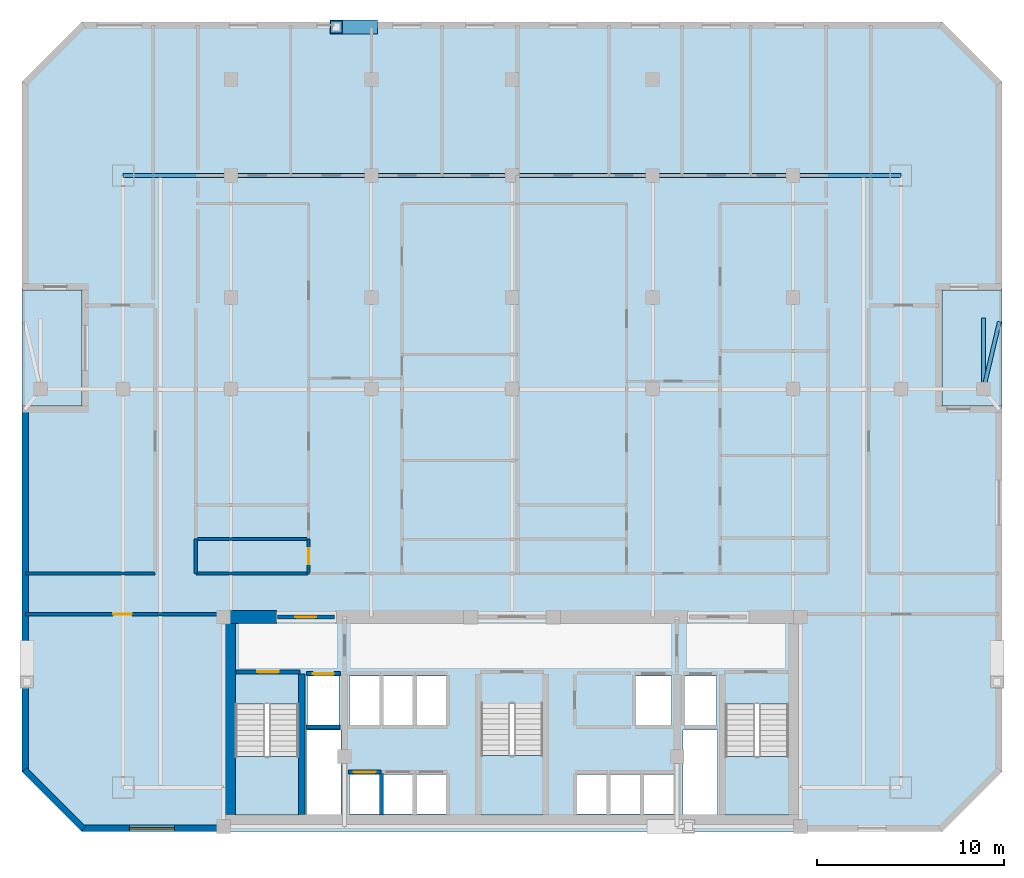
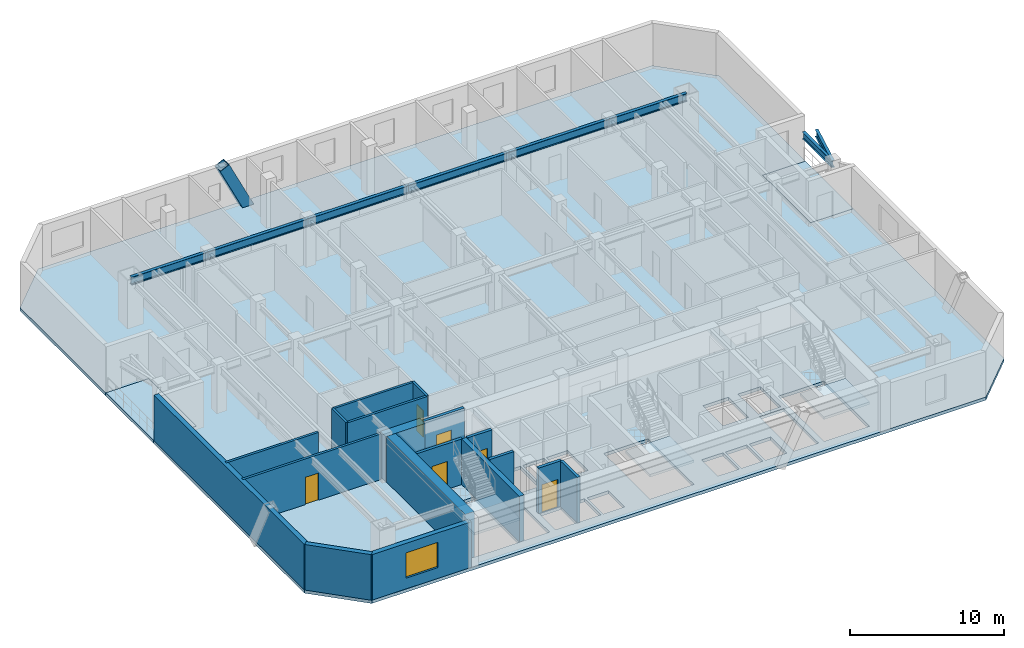
# One storey, part 2 of 9: 18 walls, 8 beams, 6 doors, 6 slabs, 1 member, 1 window, 7 openings, 3 elements without a shape of their own.
"""IFC4 building model written with IfcOpenShell, lengths in metres."""

from ifc_helpers import new_model, si_unit, direction, frame, frame_2d, origin, origin_2d, place, context, subcontext, project, spatial, polyline, rectangle, hollow_rectangle, i_section, outline, extrude, material, layer, layer_set, material_profile, profile_set, type_object, element, fill, aggregate, save


model = new_model("IFC4")

# Units and contexts
model_context = context("Model", 3, precision=1e-05, world=origin(), true_north=direction((0.0, 1.0)))
body_context = subcontext(model_context, "Body", "Model", "MODEL_VIEW")
ifc_project = project(units=[si_unit("LENGTHUNIT", "METRE"), si_unit("AREAUNIT", "SQUARE_METRE"), si_unit("VOLUMEUNIT", "CUBIC_METRE"), si_unit("PLANEANGLEUNIT", "RADIAN"), si_unit("MASSUNIT", "GRAM", prefix="KILO")], contexts=[model_context])

# Site, building, storey
site_placement = place(None, origin())
site = spatial("IfcSite", under=ifc_project, at=site_placement, CompositionType="ELEMENT")
building_placement = place(site_placement, origin())
building = spatial("IfcBuilding", under=site, at=building_placement, Name="Ventersveld Concourse Tower", CompositionType="ELEMENT")
storey_placement = place(building_placement, frame((0.0, 0.0, 108.0)))
storey = spatial("IfcBuildingStorey", under=building, at=storey_placement, Name="L26", CompositionType="ELEMENT", Elevation=108.0)

# Beams
ifc_material_1 = material(Name="Structural steel S355J2", Category="steel")
ifc_material_profile_1 = material_profile(ifc_material_1, i_section(OverallWidth=0.230224609375, OverallDepth=0.6171875, WebThickness=0.01318359375, FlangeThickness=0.022216796875, FilletRadius=0.0126953125, at=origin_2d()), Name="UB 610x229x140")
ifc_profile_set_1 = profile_set([ifc_material_profile_1], Name="Structural steel S355J2")
beam_type_1 = type_object("IfcBeamType", Name="GRD-UB610", PredefinedType="USERDEFINED", material=ifc_profile_set_1)
beam_1_placement = place(storey_placement, frame((8.0, 35.0, 3.29150390625), z_axis=(1.0, 0.0, 0.0), x_axis=(0.0, 1.0, 0.0)))
element("IfcBeam", 1, at=beam_1_placement, inside=storey, type_object=beam_type_1, Name="L26 E-W Grid Girder Y=35.00 #1", ObjectType="GIRDER", PredefinedType="USERDEFINED", context=body_context, shape_type="SweptSolid", body=[
    extrude(i_section(OverallWidth=0.230224609375, OverallDepth=0.6171875, WebThickness=0.01318359375, FlangeThickness=0.022216796875, FilletRadius=0.0126953125, at=origin_2d()), origin(), (0.0, 0.0, 1.0), 5.75),
])
for number, where, z_axis, x_axis, name in (
    (2, (13.75, 35.0, 3.29150390625), (1.0, 0.0, 0.0), (0.0, 1.0, 0.0), "L26 E-W Grid Girder Y=35.00 #2"),
    (3, (21.25, 35.0, 3.29150390625), (1.0, 0.0, 0.0), (0.0, 1.0, 0.0), "L26 E-W Grid Girder Y=35.00 #3"),
    (4, (28.75, 35.0, 3.29150390625), (1.0, 0.0, 0.0), (0.0, 1.0, 0.0), "L26 E-W Grid Girder Y=35.00 #4"),
    (5, (36.25, 35.0, 3.29150390625), (1.0, 0.0, 0.0), (0.0, 1.0, 0.0), "L26 E-W Grid Girder Y=35.00 #5"),
):
    element("IfcBeam", number, at=place(storey_placement, frame(where, z_axis=z_axis, x_axis=x_axis)), inside=storey, type_object=beam_type_1, Name=name, ObjectType="GIRDER", PredefinedType="USERDEFINED", context=body_context, shape_type="SweptSolid", body=[
        extrude(i_section(OverallWidth=0.230224609375, OverallDepth=0.6171875, WebThickness=0.01318359375, FlangeThickness=0.022216796875, FilletRadius=0.0126953125, at=origin_2d()), origin(), (0.0, 0.0, 1.0), 7.5),
    ])
beam_2_placement = place(storey_placement, frame((43.75, 35.0, 3.29150390625), z_axis=(1.0, 0.0, 0.0), x_axis=(0.0, 1.0, 0.0)))
element("IfcBeam", 6, at=beam_2_placement, inside=storey, type_object=beam_type_1, Name="L26 E-W Grid Girder Y=35.00 #6", ObjectType="GIRDER", PredefinedType="USERDEFINED", context=body_context, shape_type="SweptSolid", body=[
    extrude(i_section(OverallWidth=0.230224609375, OverallDepth=0.6171875, WebThickness=0.01318359375, FlangeThickness=0.022216796875, FilletRadius=0.0126953125, at=origin_2d()), origin(), (0.0, 0.0, 1.0), 5.75),
])

# Member
ifc_material_2 = material(Name="Structural steel S355ML", Category="steel")
ifc_material_profile_2 = material_profile(ifc_material_2, hollow_rectangle(XDim=0.75, YDim=0.75, WallThickness=0.044921875, at=origin_2d()), Name="BOX 750x750x45")
ifc_profile_set_2 = profile_set([ifc_material_profile_2], Name="Structural steel S355ML")
member_type = type_object("IfcMemberType", Name="MB-750x750", PredefinedType="BRACE", material=ifc_profile_set_2)
member_placement = place(storey_placement, frame((21.25, 42.919921875, -0.25), z_axis=(-0.437839464193, 0.0, 0.899053170616), x_axis=(0.0, -1.0, 0.0)))
element("IfcMember", 7, at=member_placement, inside=storey, type_object=member_type, Name="L26 Exterior Mega-Brace N (Module M06)", PredefinedType="BRACE", context=body_context, shape_type="SweptSolid", body=[
    extrude(hollow_rectangle(XDim=0.75, YDim=0.75, WallThickness=0.044921875, at=origin_2d()), origin(), (0.0, 0.0, 1.0), 4.282470703125),
])

# Beams
ifc_material_profile_3 = material_profile(ifc_material_1, i_section(OverallWidth=0.2119140625, OverallDepth=0.54443359375, WebThickness=0.0126953125, FlangeThickness=0.021240234375, FilletRadius=0.0126953125, at=origin_2d()), Name="UB 533x210x122")
ifc_profile_set_3 = profile_set([ifc_material_profile_3], Name="Structural steel S355J2")
beam_type_2 = type_object("IfcBeamType", Name="SPD-UB533", PredefinedType="SPANDREL", material=ifc_profile_set_3)
beam_3_placement = place(storey_placement, frame((53.89990234375, 23.60009765625, 3.32763671875), z_axis=(0.0, 1.0, 0.0), x_axis=(-1.0, 0.0, 0.0)))
element("IfcBeam", 8, at=beam_3_placement, inside=storey, type_object=beam_type_2, Name="L26 East Valley Spine Girder", PredefinedType="SPANDREL", context=body_context, shape_type="SweptSolid", body=[
    extrude(i_section(OverallWidth=0.2119140625, OverallDepth=0.54443359375, WebThickness=0.0126953125, FlangeThickness=0.021240234375, FilletRadius=0.0126953125, at=origin_2d()), origin(), (0.0, 0.0, 1.0), 3.7998046875),
])
beam_4_placement = place(storey_placement, frame((53.89990234375, 23.60009765625, 3.32763671875), z_axis=(0.229826547993, 0.973231605445, 0.0), x_axis=(-0.973231605445, 0.229826547993, 0.0)))
element("IfcBeam", 9, at=beam_4_placement, inside=storey, type_object=beam_type_2, Name="L26 East Valley Corner Bracket 2", PredefinedType="SPANDREL", context=body_context, shape_type="SweptSolid", body=[
    extrude(i_section(OverallWidth=0.2119140625, OverallDepth=0.54443359375, WebThickness=0.0126953125, FlangeThickness=0.021240234375, FilletRadius=0.0126953125, at=origin_2d()), origin(), (0.0, 0.0, 1.0), 3.698974609375),
])

# Slabs
ifc_material_3 = material(Name="Concrete C50/60", Category="concrete")
ifc_layer_1 = layer(ifc_material_3, 0.25)
ifc_layer_set_1 = layer_set([ifc_layer_1], Name="Concrete C50/60")
slab_type_1 = type_object("IfcSlabType", Name="SL-FLR-250", PredefinedType="FLOOR", material=ifc_layer_set_1)
slab_1_placement = place(storey_placement, frame((0.0, 0.0, -0.25)))
element("IfcSlab", 10, at=slab_1_placement, inside=storey, type_object=slab_type_1, Name="L26 Composite Floor Slab", PredefinedType="FLOOR", context=body_context, shape_type="SweptSolid", body=[
    extrude(outline(polyline([(5.800048828125, 0.0), (51.699951171875, 0.0), (54.89990234375, 3.199951171875), (54.89990234375, 22.699951171875), (51.699951171875, 22.699951171875), (51.699951171875, 28.89990234375), (54.89990234375, 28.89990234375), (54.89990234375, 40.0), (51.699951171875, 43.199951171875), (5.800048828125, 43.199951171875), (2.60009765625, 40.0), (2.60009765625, 28.89990234375), (5.800048828125, 28.89990234375), (5.800048828125, 22.699951171875), (2.60009765625, 22.699951171875), (2.60009765625, 3.199951171875), (5.800048828125, 0.0)]), holes=[polyline([(13.97998046875, 6.794921875), (13.97998046875, 0.89990234375), (17.3798828125, 0.89990234375), (17.3798828125, 6.794921875), (13.97998046875, 6.794921875)]), polyline([(40.1201171875, 6.794921875), (40.1201171875, 0.89990234375), (43.52001953125, 0.89990234375), (43.52001953125, 6.794921875), (40.1201171875, 6.794921875)]), polyline([(27.10009765625, 6.844970703125), (27.10009765625, 0.89990234375), (30.39990234375, 0.89990234375), (30.39990234375, 6.844970703125), (27.10009765625, 6.844970703125)]), polyline([(17.85009765625, 5.699951171875), (19.530029296875, 5.699951171875), (19.530029296875, 8.300048828125), (17.85009765625, 8.300048828125), (17.85009765625, 5.699951171875)]), polyline([(37.969970703125, 5.699951171875), (39.64990234375, 5.699951171875), (39.64990234375, 8.300048828125), (37.969970703125, 8.300048828125), (37.969970703125, 5.699951171875)]), polyline([(35.35009765625, 5.699951171875), (37.25, 5.699951171875), (37.25, 8.300048828125), (35.35009765625, 8.300048828125), (35.35009765625, 5.699951171875)]), polyline([(20.090087890625, 0.949951171875), (21.68994140625, 0.949951171875), (21.68994140625, 3.050048828125), (20.090087890625, 3.050048828125), (20.090087890625, 0.949951171875)]), polyline([(21.8701171875, 0.949951171875), (23.469970703125, 0.949951171875), (23.469970703125, 3.050048828125), (21.8701171875, 3.050048828125), (21.8701171875, 0.949951171875)]), polyline([(23.64990234375, 0.949951171875), (25.25, 0.949951171875), (25.25, 3.050048828125), (23.64990234375, 3.050048828125), (23.64990234375, 0.949951171875)]), polyline([(32.2099609375, 0.949951171875), (33.81005859375, 0.949951171875), (33.81005859375, 3.050048828125), (32.2099609375, 3.050048828125), (32.2099609375, 0.949951171875)]), polyline([(33.989990234375, 0.949951171875), (35.590087890625, 0.949951171875), (35.590087890625, 3.050048828125), (33.989990234375, 3.050048828125), (33.989990234375, 0.949951171875)]), polyline([(35.77001953125, 0.949951171875), (37.3701171875, 0.949951171875), (37.3701171875, 3.050048828125), (35.77001953125, 3.050048828125), (35.77001953125, 0.949951171875)]), polyline([(20.090087890625, 5.699951171875), (21.68994140625, 5.699951171875), (21.68994140625, 8.300048828125), (20.090087890625, 8.300048828125), (20.090087890625, 5.699951171875)]), polyline([(21.8701171875, 5.699951171875), (23.469970703125, 5.699951171875), (23.469970703125, 8.300048828125), (21.8701171875, 8.300048828125), (21.8701171875, 5.699951171875)]), polyline([(23.64990234375, 5.699951171875), (25.25, 5.699951171875), (25.25, 8.300048828125), (23.64990234375, 8.300048828125), (23.64990234375, 5.699951171875)]), polyline([(17.780029296875, 0.919921875), (19.6201171875, 0.919921875), (19.6201171875, 5.419921875), (17.780029296875, 5.419921875), (17.780029296875, 0.919921875)]), polyline([(37.8798828125, 0.919921875), (39.719970703125, 0.919921875), (39.719970703125, 5.419921875), (37.8798828125, 5.419921875), (37.8798828125, 0.919921875)])]), origin(), (0.0, 0.0, 1.0), 0.25),
])
slab_2_placement = place(storey_placement, frame((0.0, 0.0, -0.25)))
element("IfcSlab", 11, at=slab_2_placement, inside=storey, type_object=slab_type_1, Name="L26 Outdoor Terrace Slab NOTCH-W", PredefinedType="FLOOR", context=body_context, shape_type="SweptSolid", body=[
    extrude(outline(polyline([(2.60009765625, 22.699951171875), (5.800048828125, 22.699951171875), (5.800048828125, 28.89990234375), (2.60009765625, 28.89990234375), (2.60009765625, 22.699951171875)])), origin(), (0.0, 0.0, 1.0), 0.25),
])
slab_3_placement = place(storey_placement, frame((0.0, 0.0, -0.25)))
element("IfcSlab", 12, at=slab_3_placement, inside=storey, type_object=slab_type_1, Name="L26 Outdoor Terrace Slab NOTCH-E", PredefinedType="FLOOR", context=body_context, shape_type="SweptSolid", body=[
    extrude(outline(polyline([(51.699951171875, 22.699951171875), (54.89990234375, 22.699951171875), (54.89990234375, 28.89990234375), (51.699951171875, 28.89990234375), (51.699951171875, 22.699951171875)])), origin(), (0.0, 0.0, 1.0), 0.25),
])

# Stair, slab
stair_type_1 = type_object("IfcStairType", Name="ST-DOG-160", PredefinedType="HALF_TURN_STAIR", material=ifc_material_3)
stair_1_placement = place(storey_placement, origin())
stair_1 = element("IfcStair", 13, at=stair_1_placement, inside=storey, type_object=stair_type_1, Name="L26 Protected Tower Escape Stair ST-01", PredefinedType="HALF_TURN_STAIR")
ifc_layer_2 = layer(ifc_material_3, 0.199951171875)
ifc_layer_set_2 = layer_set([ifc_layer_2], Name="Concrete C50/60")
slab_type_2 = type_object("IfcSlabType", Name="SL-LND-200", PredefinedType="LANDING", material=ifc_layer_set_2)
slab_4_placement = place(storey_placement, frame((0.0, 0.0, 1.72509765625)))
slab_4 = element("IfcSlab", 14, at=slab_4_placement, type_object=slab_type_2, Name="ST-01 landing 1", PredefinedType="LANDING", context=body_context, shape_type="SweptSolid", body=[
    extrude(outline(polyline([(13.97998046875, 4.0), (13.97998046875, 0.89990234375), (17.3798828125, 0.89990234375), (17.3798828125, 4.0), (13.97998046875, 4.0)])), origin(), (0.0, 0.0, 1.0), 0.199951171875),
])
aggregate(stair_1, [slab_4])

stair_2_placement = place(storey_placement, origin())
stair_2 = element("IfcStair", 15, at=stair_2_placement, inside=storey, type_object=stair_type_1, Name="L26 Protected Tower Escape Stair ST-02", PredefinedType="HALF_TURN_STAIR")
slab_5_placement = place(storey_placement, frame((0.0, 0.0, 1.72509765625)))
slab_5 = element("IfcSlab", 16, at=slab_5_placement, type_object=slab_type_2, Name="ST-02 landing 1", PredefinedType="LANDING", context=body_context, shape_type="SweptSolid", body=[
    extrude(outline(polyline([(40.1201171875, 4.0), (40.1201171875, 0.89990234375), (43.52001953125, 0.89990234375), (43.52001953125, 4.0), (40.1201171875, 4.0)])), origin(), (0.0, 0.0, 1.0), 0.199951171875),
])
aggregate(stair_2, [slab_5])

stair_type_2 = type_object("IfcStairType", Name="ST-DOG-155", PredefinedType="HALF_TURN_STAIR", material=ifc_material_3)
stair_3_placement = place(storey_placement, origin())
stair_3 = element("IfcStair", 17, at=stair_3_placement, inside=storey, type_object=stair_type_2, Name="L26 Protected Central Core Escape Stair ST-03", PredefinedType="HALF_TURN_STAIR")
slab_6_placement = place(storey_placement, frame((0.0, 0.0, 1.72509765625)))
slab_6 = element("IfcSlab", 18, at=slab_6_placement, type_object=slab_type_2, Name="ST-03 landing 1", PredefinedType="LANDING", context=body_context, shape_type="SweptSolid", body=[
    extrude(outline(polyline([(27.10009765625, 4.050048828125), (27.10009765625, 0.89990234375), (30.39990234375, 0.89990234375), (30.39990234375, 4.050048828125), (27.10009765625, 4.050048828125)])), origin(), (0.0, 0.0, 1.0), 0.199951171875),
])
aggregate(stair_3, [slab_6])

# Walls
ifc_material_4 = material(Name="Concrete C60/75", Category="concrete")
ifc_layer_3 = layer(ifc_material_4, 0.35009765625)
ifc_layer_set_3 = layer_set([ifc_layer_3], Name="Concrete C60/75")
wall_type_1 = type_object("IfcWallType", Name="WL-CORE-350L", PredefinedType="SHEAR", material=ifc_layer_set_3)
wall_1_placement = place(storey_placement, frame((17.5400390625, 0.919921875, 0.0), z_axis=(0.0, 0.0, 1.0), x_axis=(0.0, 1.0, 0.0)))
element("IfcWall", 19, at=wall_1_placement, inside=storey, type_object=wall_type_1, Name="L26 Core Internal Shear Web W-ST1-E", PredefinedType="SHEAR", context=body_context, shape_type="SweptSolid", body=[
    extrude(rectangle(XDim=7.5, YDim=0.35009765625, at=frame_2d((3.75, 0.0))), origin(), (0.0, 0.0, 1.0), 3.60009765625),
])
ifc_layer_4 = layer(ifc_material_4, 0.699951171875)
ifc_layer_set_4 = layer_set([ifc_layer_4], Name="Concrete C60/75")
wall_type_2 = type_object("IfcWallType", Name="WL-CORE-700", PredefinedType="SHEAR", material=ifc_layer_set_4)
wall_2_placement = place(storey_placement, frame((13.64990234375, 0.919921875, 0.0), z_axis=(0.0, 0.0, 1.0), x_axis=(0.0, 1.0, 0.0)))
element("IfcWall", 20, at=wall_2_placement, inside=storey, type_object=wall_type_2, Name="L26 Rear Core West Shear Wall", PredefinedType="SHEAR", context=body_context, shape_type="SweptSolid", body=[
    extrude(rectangle(XDim=10.530029296875, YDim=0.699951171875, at=frame_2d((5.26513671875, 0.0))), origin(), (0.0, 0.0, 1.0), 3.60009765625),
])
wall_3_placement = place(storey_placement, frame((13.25, 11.449951171875, 0.0), z_axis=(0.0, 0.0, 1.0), x_axis=(1.0, 0.0, 0.0)))
element("IfcWall", 21, at=wall_3_placement, inside=storey, type_object=wall_type_2, Name="L26 Rear Core North Shear Wall NW", PredefinedType="SHEAR", context=body_context, shape_type="SweptSolid", body=[
    extrude(rectangle(XDim=2.949951171875, YDim=0.699951171875, at=frame_2d((1.47509765625, 0.0))), origin(), (0.0, 0.0, 1.0), 3.60009765625),
])

# Wall, opening, door
ifc_material_5 = material(Name="Fire-rated autoclaved aerated masonry blockwork", Category="masonry")
ifc_layer_5 = layer(ifc_material_5, 0.179931640625)
ifc_layer_set_5 = layer_set([ifc_layer_5], Name="Fire-rated autoclaved aerated masonry blockwork")
wall_type_3 = type_object("IfcWallType", Name="WL-CORR-180", PredefinedType="PARTITIONING", material=ifc_layer_set_5)
wall_4_placement = place(storey_placement, frame((2.81005859375, 11.60009765625, 0.0), z_axis=(0.0, 0.0, 1.0), x_axis=(1.0, 0.0, 0.0)))
wall_4 = element("IfcWall", 22, at=wall_4_placement, inside=storey, type_object=wall_type_3, Name="L26 Interior Partition SP-L26-SW-GAL-SP-L26-COR", PredefinedType="PARTITIONING", context=body_context, shape_type="SweptSolid", body=[
    extrude(rectangle(XDim=10.3349609375, YDim=0.179931640625, at=frame_2d((5.16748046875, 0.0))), origin(), (0.0, 0.0, 1.0), 3.60009765625),
])
opening_1_placement = place(wall_4_placement, frame((4.66748046875, 0.0, 0.0)))
opening_1 = element("IfcOpeningElement", 23, at=opening_1_placement, cuts=wall_4, Name="Opening FD3", PredefinedType="OPENING", context=body_context, shape_type="SweptSolid", body=[
    extrude(rectangle(XDim=1.0, YDim=2.14990234375, at=frame_2d((0.5, 1.074951171875))), frame((0.0, 0.10009765625, 0.0), z_axis=(0.0, -1.0, 0.0), x_axis=(1.0, 0.0, 0.0)), (0.0, 0.0, 1.0), 0.199951171875),
])
ifc_material_6 = material(Name="Solid-core hardwood veneer timber", Category="wood")
door_type_1 = type_object("IfcDoorType", Name="DR-FLAT-100", OperationType="NOTDEFINED", PredefinedType="DOOR", material=ifc_material_6)
door_1_placement = place(opening_1_placement, origin())
door_1 = element("IfcDoor", 24, at=door_1_placement, inside=storey, type_object=door_type_1, Name="L26 Interior Door SP-L26-SW-GAL to SP-L26-COR (D-L26-1275)", OperationType="SINGLE_SWING_LEFT", OverallHeight=2.14990234375, OverallWidth=1.0, PredefinedType="DOOR", context=body_context, shape_type="SweptSolid", body=[
    extrude(rectangle(XDim=1.0, YDim=2.14990234375, at=frame_2d((0.5, 1.074951171875))), frame((0.0, 0.02490234375, 0.0), z_axis=(0.0, -1.0, 0.0), x_axis=(1.0, 0.0, 0.0)), (0.0, 0.0, 1.0), 0.050048828125),
])
fill(opening_1, door_1)

# Walls
wall_5_placement = place(storey_placement, frame((2.81005859375, 13.77001953125, 0.0), z_axis=(0.0, 0.0, 1.0), x_axis=(1.0, 0.0, 0.0)))
element("IfcWall", 25, at=wall_5_placement, inside=storey, type_object=wall_type_3, Name="L26 Interior Partition SP-L26-COR-SP-L26-NWLNG1", PredefinedType="PARTITIONING", context=body_context, shape_type="SweptSolid", body=[
    extrude(rectangle(XDim=6.905029296875, YDim=0.179931640625, at=frame_2d((3.45263671875, 0.0))), origin(), (0.0, 0.0, 1.0), 3.60009765625),
])
wall_6_placement = place(storey_placement, frame((11.885009765625, 13.77001953125, 0.0), z_axis=(0.0, 0.0, 1.0), x_axis=(1.0, 0.0, 0.0)))
element("IfcWall", 26, at=wall_6_placement, inside=storey, type_object=wall_type_3, Name="L26 Interior Partition SP-L26-COR-SP-L26-26N1-BATH", PredefinedType="PARTITIONING", context=body_context, shape_type="SweptSolid", body=[
    extrude(rectangle(XDim=5.98291015625, YDim=0.179931640625, at=frame_2d((2.991455078125, 0.0))), origin(), (0.0, 0.0, 1.0), 3.60009765625),
])
wall_7_placement = place(storey_placement, frame((11.889892578125, 13.764892578125, 0.0), z_axis=(0.0, 0.0, 1.0), x_axis=(0.0, 1.0, 0.0)))
element("IfcWall", 27, at=wall_7_placement, inside=storey, type_object=wall_type_3, Name="L26 Interior Partition SP-L26-COR-SP-L26-26N1-BATH", PredefinedType="PARTITIONING", context=body_context, shape_type="SweptSolid", body=[
    extrude(rectangle(XDim=1.840087890625, YDim=0.179931640625, at=frame_2d((0.919921875, 0.0))), origin(), (0.0, 0.0, 1.0), 3.60009765625),
])
ifc_layer_6 = layer(ifc_material_5, 0.219970703125)
ifc_layer_set_6 = layer_set([ifc_layer_6], Name="Fire-rated autoclaved aerated masonry blockwork")
wall_type_4 = type_object("IfcWallType", Name="WL-HOIST-220", PredefinedType="SOLIDWALL", material=ifc_layer_set_6)
wall_8_placement = place(storey_placement, frame((17.800048828125, 5.590087890625, 0.0), z_axis=(0.0, 0.0, 1.0), x_axis=(1.0, 0.0, 0.0)))
element("IfcWall", 28, at=wall_8_placement, inside=storey, type_object=wall_type_4, Name="L26 Lift Hoistway Back Wall FFL-01", PredefinedType="SOLIDWALL", context=body_context, shape_type="SweptSolid", body=[
    extrude(rectangle(XDim=1.780029296875, YDim=0.219970703125, at=frame_2d((0.89013671875, 0.0))), origin(), (0.0, 0.0, 1.0), 3.60009765625),
])

# Wall, opening, door
wall_9_placement = place(storey_placement, frame((17.780029296875, 8.429931640625, 0.0), z_axis=(0.0, 0.0, 1.0), x_axis=(1.0, 0.0, 0.0)))
wall_9 = element("IfcWall", 29, at=wall_9_placement, inside=storey, type_object=wall_type_4, Name="L26 Lift Hoistway Front Wall FFL-01", PredefinedType="SOLIDWALL", context=body_context, shape_type="SweptSolid", body=[
    extrude(rectangle(XDim=1.820068359375, YDim=0.219970703125, at=frame_2d((0.91015625, 0.0))), origin(), (0.0, 0.0, 1.0), 3.60009765625),
])
opening_2_placement = place(wall_9_placement, frame((0.35009765625, 0.0, 0.0)))
opening_2 = element("IfcOpeningElement", 30, at=opening_2_placement, cuts=wall_9, Name="Opening LD1", PredefinedType="OPENING", context=body_context, shape_type="SweptSolid", body=[
    extrude(rectangle(XDim=1.1201171875, YDim=2.25, at=frame_2d((0.56005859375, 1.125))), frame((0.0, 0.1201171875, 0.0), z_axis=(0.0, -1.0, 0.0), x_axis=(1.0, 0.0, 0.0)), (0.0, 0.0, 1.0), 0.239990234375),
])
ifc_material_7 = material(Name="Brushed stainless steel 316", Category="steel")
door_type_2 = type_object("IfcDoorType", Name="LD-FF-112", OperationType="SLIDING_TO_LEFT", PredefinedType="DOOR", material=ifc_material_7)
door_2_placement = place(opening_2_placement, origin())
door_2 = element("IfcDoor", 31, at=door_2_placement, inside=storey, type_object=door_type_2, Name="L26 Lift landing door FFL-01 (LD-L26-FFL-01)", OperationType="SLIDING_TO_LEFT", OverallHeight=2.25, OverallWidth=1.1201171875, PredefinedType="DOOR", context=body_context, shape_type="SweptSolid", body=[
    extrude(rectangle(XDim=1.1201171875, YDim=2.25, at=frame_2d((0.56005859375, 1.125))), frame((0.0, 0.02490234375, 0.0), z_axis=(0.0, -1.0, 0.0), x_axis=(1.0, 0.0, 0.0)), (0.0, 0.0, 1.0), 0.050048828125),
])
fill(opening_2, door_2)

# Wall
wall_10_placement = place(storey_placement, frame((21.780029296875, 0.89990234375, 0.0), z_axis=(0.0, 0.0, 1.0), x_axis=(0.0, 1.0, 0.0)))
element("IfcWall", 32, at=wall_10_placement, inside=storey, type_object=wall_type_4, Name="L26 Lift Hoistway Side Wall PL-01E", PredefinedType="SOLIDWALL", context=body_context, shape_type="SweptSolid", body=[
    extrude(rectangle(XDim=2.2001953125, YDim=0.219970703125, at=frame_2d((1.10009765625, 0.0))), origin(), (0.0, 0.0, 1.0), 3.60009765625),
])

# Wall, opening, door
wall_11_placement = place(storey_placement, frame((20.02001953125, 3.179931640625, 0.0), z_axis=(0.0, 0.0, 1.0), x_axis=(1.0, 0.0, 0.0)))
wall_11 = element("IfcWall", 33, at=wall_11_placement, inside=storey, type_object=wall_type_4, Name="L26 Lift Hoistway Front Wall PL-01", PredefinedType="SOLIDWALL", context=body_context, shape_type="SweptSolid", body=[
    extrude(rectangle(XDim=1.739990234375, YDim=0.219970703125, at=frame_2d((0.8701171875, 0.0))), origin(), (0.0, 0.0, 1.0), 3.60009765625),
])
opening_3_placement = place(wall_11_placement, frame((0.280029296875, 0.0, 0.0)))
opening_3 = element("IfcOpeningElement", 34, at=opening_3_placement, cuts=wall_11, Name="Opening LD2", PredefinedType="OPENING", context=body_context, shape_type="SweptSolid", body=[
    extrude(rectangle(XDim=1.179931640625, YDim=2.199951171875, at=frame_2d((0.58984375, 1.10009765625))), frame((0.0, 0.1201171875, 0.0), z_axis=(0.0, -1.0, 0.0), x_axis=(1.0, 0.0, 0.0)), (0.0, 0.0, 1.0), 0.239990234375),
])
door_type_3 = type_object("IfcDoorType", Name="LD-PAX-118", OperationType="SLIDING_TO_LEFT", PredefinedType="DOOR", material=ifc_material_7)
door_3_placement = place(opening_3_placement, origin())
door_3 = element("IfcDoor", 35, at=door_3_placement, inside=storey, type_object=door_type_3, Name="L26 Lift landing door PL-01 (LD-L26-PL-01)", OperationType="SLIDING_TO_RIGHT", OverallHeight=2.199951171875, OverallWidth=1.179931640625, PredefinedType="DOOR", context=body_context, shape_type="SweptSolid", body=[
    extrude(rectangle(XDim=1.179931640625, YDim=2.199951171875, at=frame_2d((0.58984375, 1.10009765625))), frame((0.0, 0.02490234375, 0.0), z_axis=(0.0, -1.0, 0.0), x_axis=(1.0, 0.0, 0.0)), (0.0, 0.0, 1.0), 0.050048828125),
])
fill(opening_3, door_3)

wall_12_placement = place(storey_placement, frame((14.0400390625, 8.52001953125, 0.0), z_axis=(0.0, 0.0, 1.0), x_axis=(1.0, 0.0, 0.0)))
wall_12 = element("IfcWall", 36, at=wall_12_placement, inside=storey, type_object=wall_type_4, Name="L26 Escape Stair ST01 Fire Wall", PredefinedType="SOLIDWALL", context=body_context, shape_type="SweptSolid", body=[
    extrude(rectangle(XDim=3.39990234375, YDim=0.219970703125, at=frame_2d((1.699951171875, 0.0))), origin(), (0.0, 0.0, 1.0), 3.60009765625),
])
opening_4_placement = place(wall_12_placement, frame((1.125, 0.0, 0.0)))
opening_4 = element("IfcOpeningElement", 37, at=opening_4_placement, cuts=wall_12, Name="Opening FD1", PredefinedType="OPENING", context=body_context, shape_type="SweptSolid", body=[
    extrude(rectangle(XDim=1.14990234375, YDim=2.199951171875, at=frame_2d((0.574951171875, 1.10009765625))), frame((0.0, 0.1201171875, 0.0), z_axis=(0.0, -1.0, 0.0), x_axis=(1.0, 0.0, 0.0)), (0.0, 0.0, 1.0), 0.239990234375),
])
ifc_material_8 = material(Name="Galvanised painted steel", Category="steel")
door_type_4 = type_object("IfcDoorType", Name="DR-STAIR-115", OperationType="NOTDEFINED", PredefinedType="DOOR", material=ifc_material_8)
door_4_placement = place(opening_4_placement, origin())
door_4 = element("IfcDoor", 38, at=door_4_placement, inside=storey, type_object=door_type_4, Name="L26 Escape Stair Door ST01 (SD-L26-1266)", OperationType="SINGLE_SWING_LEFT", OverallHeight=2.199951171875, OverallWidth=1.14990234375, PredefinedType="DOOR", context=body_context, shape_type="SweptSolid", body=[
    extrude(rectangle(XDim=1.14990234375, YDim=2.199951171875, at=frame_2d((0.574951171875, 1.10009765625))), frame((0.0, 0.02490234375, 0.0), z_axis=(0.0, -1.0, 0.0), x_axis=(1.0, 0.0, 0.0)), (0.0, 0.0, 1.0), 0.050048828125),
])
fill(opening_4, door_4)

wall_13_placement = place(storey_placement, frame((16.22998046875, 11.449951171875, 0.0), z_axis=(0.0, 0.0, 1.0), x_axis=(1.0, 0.0, 0.0)))
wall_13 = element("IfcWall", 39, at=wall_13_placement, inside=storey, type_object=wall_type_4, Name="L26 Core North Fire Portal FFLW-OUT", PredefinedType="SOLIDWALL", context=body_context, shape_type="SweptSolid", body=[
    extrude(rectangle(XDim=3.0400390625, YDim=0.219970703125, at=frame_2d((1.52001953125, 0.0))), origin(), (0.0, 0.0, 1.0), 3.60009765625),
])
opening_5_placement = place(wall_13_placement, frame((0.969970703125, 0.0, 0.0)))
opening_5 = element("IfcOpeningElement", 40, at=opening_5_placement, cuts=wall_13, Name="Opening FD2", PredefinedType="OPENING", context=body_context, shape_type="SweptSolid", body=[
    extrude(rectangle(XDim=1.10009765625, YDim=2.199951171875, at=frame_2d((0.550048828125, 1.10009765625))), frame((0.0, 0.1201171875, 0.0), z_axis=(0.0, -1.0, 0.0), x_axis=(1.0, 0.0, 0.0)), (0.0, 0.0, 1.0), 0.239990234375),
])
door_type_5 = type_object("IfcDoorType", Name="DR-FFL-110", OperationType="NOTDEFINED", PredefinedType="DOOR", material=ifc_material_8)
door_5_placement = place(opening_5_placement, origin())
door_5 = element("IfcDoor", 41, at=door_5_placement, inside=storey, type_object=door_type_5, Name="L26 Core Lobby Fire Door FFLW-OUT (FD-L26-1271)", OperationType="SINGLE_SWING_RIGHT", OverallHeight=2.199951171875, OverallWidth=1.10009765625, PredefinedType="DOOR", context=body_context, shape_type="SweptSolid", body=[
    extrude(rectangle(XDim=1.10009765625, YDim=2.199951171875, at=frame_2d((0.550048828125, 1.10009765625))), frame((0.0, 0.02490234375, 0.0), z_axis=(0.0, -1.0, 0.0), x_axis=(1.0, 0.0, 0.0)), (0.0, 0.0, 1.0), 0.050048828125),
])
fill(opening_5, door_5)

# Wall, opening, window
ifc_material_9 = material(Name="Precast concrete C45/55", Category="concrete")
ifc_layer_7 = layer(ifc_material_9, 0.35009765625)
ifc_layer_set_7 = layer_set([ifc_layer_7], Name="Precast concrete C45/55")
wall_type_5 = type_object("IfcWallType", Name="WL-PREC-350", PredefinedType="SOLIDWALL", material=ifc_layer_set_7)
wall_14_placement = place(storey_placement, frame((5.840087890625, 0.179931640625, 0.0), z_axis=(0.0, 0.0, 1.0), x_axis=(1.0, 0.0, 0.0)))
wall_14 = element("IfcWall", 42, at=wall_14_placement, inside=storey, type_object=wall_type_5, Name="L26 South-West Flank Precast Wall", PredefinedType="SOLIDWALL", context=body_context, shape_type="SweptSolid", body=[
    extrude(rectangle(XDim=7.409912109375, YDim=0.35009765625, at=frame_2d((3.705078125, 0.0))), origin(), (0.0, 0.0, 1.0), 3.60009765625),
])
opening_6_placement = place(wall_14_placement, frame((2.5048828125, 0.0, 0.85009765625)))
opening_6 = element("IfcOpeningElement", 43, at=opening_6_placement, cuts=wall_14, Name="Opening W5", PredefinedType="OPENING", context=body_context, shape_type="SweptSolid", body=[
    extrude(rectangle(XDim=2.39990234375, YDim=2.0, at=frame_2d((1.199951171875, 1.0))), frame((0.0, 0.18505859375, 0.0), z_axis=(0.0, -1.0, 0.0), x_axis=(1.0, 0.0, 0.0)), (0.0, 0.0, 1.0), 0.3701171875),
])
ifc_material_10 = material(Name="Tempered acoustic Low-E IGU", Category="glass")
window_type = type_object("IfcWindowType", Name="WIN-240x210", PartitioningType="SINGLE_PANEL", PredefinedType="WINDOW", material=ifc_material_10)
window_placement = place(opening_6_placement, origin())
window = element("IfcWindow", 44, at=window_placement, inside=storey, type_object=window_type, Name="L26 Punched Low-E Window W-0305", OverallHeight=2.0, OverallWidth=2.39990234375, PartitioningType="SINGLE_PANEL", PredefinedType="WINDOW", context=body_context, shape_type="SweptSolid", body=[
    extrude(rectangle(XDim=2.39990234375, YDim=2.0, at=frame_2d((1.199951171875, 1.0))), frame((0.0, 0.030029296875, 0.0), z_axis=(0.0, -1.0, 0.0), x_axis=(1.0, 0.0, 0.0)), (0.0, 0.0, 1.0), 0.06005859375),
])
fill(opening_6, window)

# Walls
wall_15_placement = place(storey_placement, frame((2.77490234375, 22.659912109375, 0.0), z_axis=(0.0, 0.0, 1.0), x_axis=(0.0, -1.0, 0.0)))
element("IfcWall", 45, at=wall_15_placement, inside=storey, type_object=wall_type_5, Name="L26 Highveld Precast Facade Wall E15", PredefinedType="SOLIDWALL", context=body_context, shape_type="SweptSolid", body=[
    extrude(rectangle(XDim=19.419921875, YDim=0.35009765625, at=frame_2d((9.7099609375, 0.0))), origin(), (0.0, 0.0, 1.0), 3.60009765625),
])
wall_16_placement = place(storey_placement, frame((2.751953125, 3.29541015625, 0.0), z_axis=(0.0, 0.0, 1.0), x_axis=(0.707134240044, -0.707079321262, 0.0)))
element("IfcWall", 46, at=wall_16_placement, inside=storey, type_object=wall_type_5, Name="L26 Highveld Precast Facade Wall E16", PredefinedType="SOLIDWALL", context=body_context, shape_type="SweptSolid", body=[
    extrude(rectangle(XDim=4.445556640625, YDim=0.35009765625, at=frame_2d((2.22265625, 0.0))), origin(), (0.0, 0.0, 1.0), 3.60009765625),
])

# Wall, opening, door
ifc_material_11 = material(Name="Autoclaved aerated masonry blockwork", Category="masonry")
ifc_layer_8 = layer(ifc_material_11, 0.1650390625)
ifc_layer_set_8 = layer_set([ifc_layer_8], Name="Autoclaved aerated masonry blockwork")
wall_type_6 = type_object("IfcWallType", Name="WL-WET-165", PredefinedType="PLUMBINGWALL", material=ifc_layer_set_8)
wall_17_placement = place(storey_placement, frame((17.90283203125, 13.764892578125, 0.0), z_axis=(0.0, 0.0, 1.0), x_axis=(0.0, 1.0, 0.0)))
wall_17 = element("IfcWall", 47, at=wall_17_placement, inside=storey, type_object=wall_type_6, Name="L26 Interior Partition SP-L26-26N1-FOY-SP-L26-26N1-BATH", PredefinedType="PLUMBINGWALL", context=body_context, shape_type="SweptSolid", body=[
    extrude(rectangle(XDim=1.840087890625, YDim=0.1650390625, at=frame_2d((0.919921875, 0.0))), origin(), (0.0, 0.0, 1.0), 3.60009765625),
])
opening_7_placement = place(wall_17_placement, frame((0.4951171875, 0.0, 0.0)))
opening_7 = element("IfcOpeningElement", 48, at=opening_7_placement, cuts=wall_17, Name="Opening ID2", PredefinedType="OPENING", context=body_context, shape_type="SweptSolid", body=[
    extrude(rectangle(XDim=0.85009765625, YDim=2.10009765625, at=frame_2d((0.425048828125, 1.050048828125))), frame((0.0, 0.092529296875, 0.0), z_axis=(0.0, -1.0, 0.0), x_axis=(1.0, 0.0, 0.0)), (0.0, 0.0, 1.0), 0.18505859375),
])
door_type_6 = type_object("IfcDoorType", Name="DR-BATH-085", OperationType="NOTDEFINED", PredefinedType="DOOR", material=ifc_material_6)
door_6_placement = place(opening_7_placement, origin())
door_6 = element("IfcDoor", 49, at=door_6_placement, inside=storey, type_object=door_type_6, Name="L26 Interior Door SP-L26-26N1-FOY to SP-L26-26N1-BATH (D-L26-1284)", OperationType="SINGLE_SWING_RIGHT", OverallHeight=2.10009765625, OverallWidth=0.85009765625, PredefinedType="DOOR", context=body_context, shape_type="SweptSolid", body=[
    extrude(rectangle(XDim=0.85009765625, YDim=2.10009765625, at=frame_2d((0.425048828125, 1.050048828125))), frame((0.0, 0.02490234375, 0.0), z_axis=(0.0, -1.0, 0.0), x_axis=(1.0, 0.0, 0.0)), (0.0, 0.0, 1.0), 0.050048828125),
])
fill(opening_7, door_6)

# Wall
wall_18_placement = place(storey_placement, frame((11.885009765625, 15.60009765625, 0.0), z_axis=(0.0, 0.0, 1.0), x_axis=(1.0, 0.0, 0.0)))
element("IfcWall", 50, at=wall_18_placement, inside=storey, type_object=wall_type_6, Name="L26 Interior Partition SP-L26-26N1-BATH-SP-L26-26N1-PWDL2", PredefinedType="PLUMBINGWALL", context=body_context, shape_type="SweptSolid", body=[
    extrude(rectangle(XDim=6.02294921875, YDim=0.1650390625, at=frame_2d((3.011474609375, 0.0))), origin(), (0.0, 0.0, 1.0), 3.60009765625),
])

save(model, "model.ifc")
